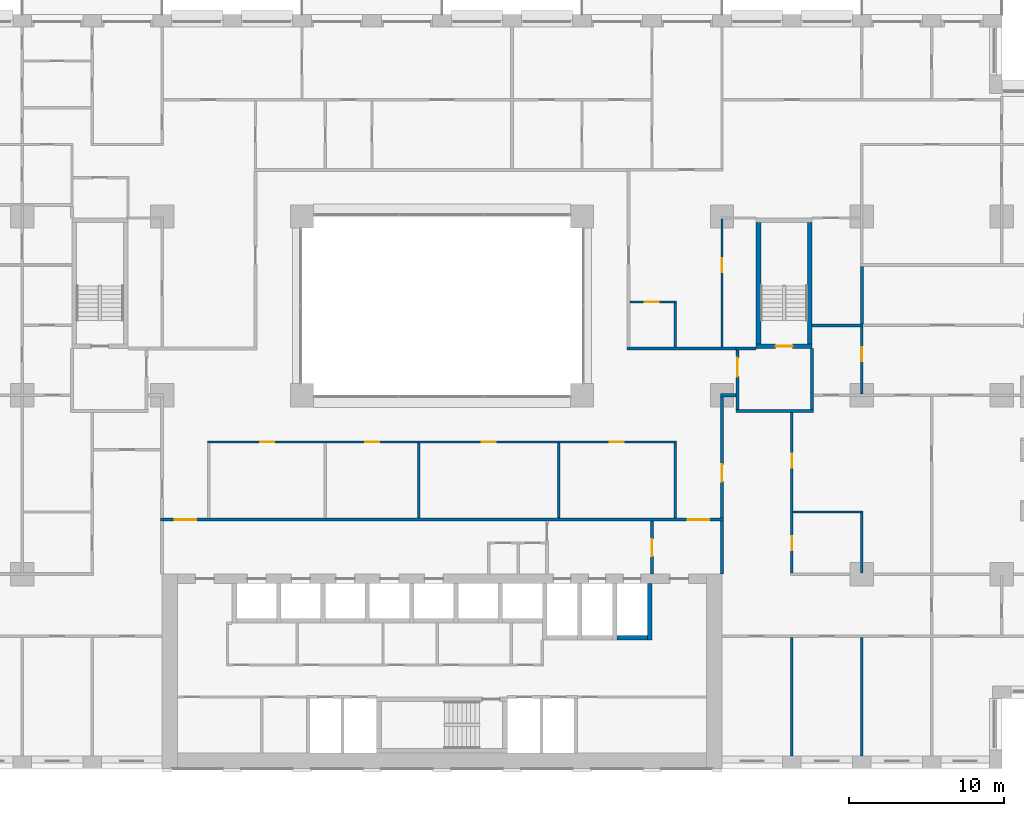
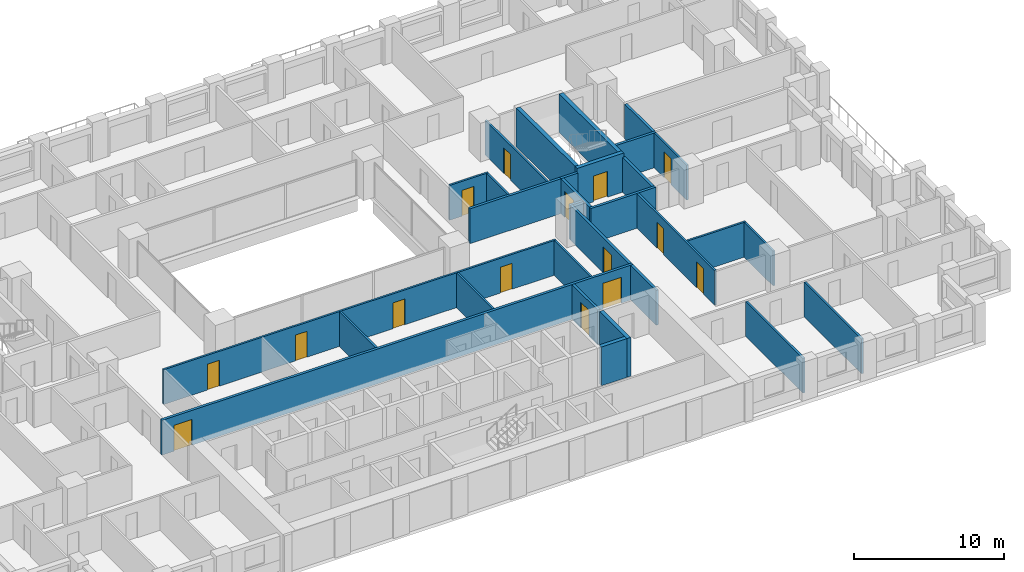
# One storey, part 12 of 19: 30 walls, 15 doors, 15 openings.
"""IFC4 building model written with IfcOpenShell, lengths in metres."""

import ifcopenshell
import ifcopenshell.guid

model = None  # the IFC model being written
_history = None  # IfcOwnerHistory: only IFC2X3 demands one
_inside = {}  # id of a spatial element -> (the spatial element, [elements in it])
_under = {}  # id of a project, library or spatial element -> (it, [spatial elements below it])
_declared = {}  # id of a project -> (the project, [libraries it declares])
_typed = {}  # id of a type object -> (the type object, [elements of that type])
_made_of = {}  # id of a material, layer set ... -> (it, [elements and type objects made of it])


def new_model(schema):
    """Start an empty IFC model of exactly this schema.

    Asked for "IFC4X3", IfcOpenShell would pick the latest addendum, in which some entities
    have other attributes; the version numbers below select the first issue.
    IFC2X3 requires an IfcOwnerHistory on every rooted entity: one is made here for all.
    """
    global model, _history
    if schema == "IFC4X3":
        model = ifcopenshell.file(schema_version=(4, 3, 0, 0))
    else:
        model = ifcopenshell.file(schema=schema)
    _inside.clear()
    _under.clear()
    _declared.clear()
    _typed.clear()
    _made_of.clear()
    _history = None
    if model.schema == "IFC2X3":
        org = make("IfcOrganization", Name="unknown")
        user = make(
            "IfcPersonAndOrganization",
            ThePerson=make("IfcPerson", FamilyName="unknown"),
            TheOrganization=org,
        )
        app = make(
            "IfcApplication",
            ApplicationDeveloper=org,
            Version="unknown",
            ApplicationFullName="unknown",
            ApplicationIdentifier="unknown",
        )
        _history = make(
            "IfcOwnerHistory",
            OwningUser=user,
            OwningApplication=app,
            ChangeAction="ADDED",
            CreationDate=0,
        )
    return model


def make(cls, **values):
    """One entity of the class cls with the attributes given. An attribute that is None is left unset."""
    return model.create_entity(
        cls, **{name: value for name, value in values.items() if value is not None}
    )


def rooted(cls, **values):
    """An entity with a GlobalId (a new one), such as an element, a storey or a relation."""
    return make(cls, GlobalId=ifcopenshell.guid.new(), OwnerHistory=_history, **values)


def si_unit(unit_type, name, prefix=None):
    """IfcSIUnit, for example si_unit("LENGTHUNIT", "METRE", prefix="MILLI")."""
    return make("IfcSIUnit", UnitType=unit_type, Prefix=prefix, Name=name)


def assignment(units):
    """IfcUnitAssignment: the units of a project."""
    return None if units is None else make("IfcUnitAssignment", Units=units)


def point(xyz):
    """IfcCartesianPoint."""
    return None if xyz is None else make("IfcCartesianPoint", Coordinates=xyz)


def direction(xyz):
    """IfcDirection."""
    return None if xyz is None else make("IfcDirection", DirectionRatios=xyz)


def frame(location, z_axis=None, x_axis=None):
    """IfcAxis2Placement3D, a coordinate frame: its origin and axes. An axis left out is left unset."""
    return make(
        "IfcAxis2Placement3D",
        Location=point(location),
        Axis=direction(z_axis),
        RefDirection=direction(x_axis),
    )


def frame_2d(location, x_axis=None):
    """IfcAxis2Placement2D, a coordinate frame in the plane: its origin and x axis."""
    return make(
        "IfcAxis2Placement2D", Location=point(location), RefDirection=direction(x_axis)
    )


def origin():
    """The frame at (0, 0, 0) with its axes left unset."""
    return frame((0.0, 0.0, 0.0))


def place(relative_to, where):
    """IfcLocalPlacement: puts the frame where relative to a parent placement (None: the world)."""
    return make(
        "IfcLocalPlacement", PlacementRelTo=relative_to, RelativePlacement=where
    )


def context(
    kind, dimensions, precision=None, world=None, true_north=None, identifier=None
):
    """IfcGeometricRepresentationContext, for example the 3D "Model" context."""
    return make(
        "IfcGeometricRepresentationContext",
        ContextIdentifier=identifier,
        ContextType=kind,
        CoordinateSpaceDimension=dimensions,
        Precision=precision,
        WorldCoordinateSystem=world,
        TrueNorth=true_north,
    )


def subcontext(parent, identifier, kind, view, scale=None):
    """IfcGeometricRepresentationSubContext, for example "Body" below "Model"."""
    return make(
        "IfcGeometricRepresentationSubContext",
        ContextIdentifier=identifier,
        ContextType=kind,
        ParentContext=parent,
        TargetScale=scale,
        TargetView=view,
    )


def project(units=None, contexts=None):
    """IfcProject with its units and contexts."""
    return rooted(
        "IfcProject",
        Name="project",
        RepresentationContexts=contexts,
        UnitsInContext=assignment(units),
    )


def spatial(cls, under=None, at=None, **own):
    """A site, building, storey or space (cls), placed at a placement, below another one or the project."""
    s = rooted(cls, ObjectPlacement=at, **own)
    if under is not None:
        _under.setdefault(under.id(), (under, []))[1].append(s)
    return s


def profile(cls, at=None, kind="AREA", **sizes):
    """A parametric profile (cls). Its sizes go by their IFC names, for example OverallWidth=200.0."""
    return make(cls, ProfileType=kind, Position=at, **sizes)


def rectangle(**sizes):
    """IfcRectangleProfileDef."""
    return profile("IfcRectangleProfileDef", **sizes)


def extrude(swept, where, along, depth):
    """IfcExtrudedAreaSolid: the profile swept, set in the frame where, extruded along a direction by depth."""
    return make(
        "IfcExtrudedAreaSolid",
        SweptArea=swept,
        Position=where,
        ExtrudedDirection=direction(along),
        Depth=depth,
    )


def shape(context_of_items, identifier, shape_type, items):
    """IfcShapeRepresentation: the items that make up one representation, for example the "Body"."""
    return make(
        "IfcShapeRepresentation",
        ContextOfItems=context_of_items,
        RepresentationIdentifier=identifier,
        RepresentationType=shape_type,
        Items=items,
    )


def material(Name=None, Category=None):
    """IfcMaterial."""
    return make("IfcMaterial", Name=Name, Category=Category)


def layer(
    of_material, thickness, ventilated=None, Name=None, Category=None, Priority=None
):
    """IfcMaterialLayer: one layer of a wall or slab, of a material (None: an air gap)."""
    return make(
        "IfcMaterialLayer",
        Material=of_material,
        LayerThickness=thickness,
        IsVentilated=ventilated,
        Name=Name,
        Category=Category,
        Priority=Priority,
    )


def layer_set(layers, Name=None):
    """IfcMaterialLayerSet."""
    return make("IfcMaterialLayerSet", MaterialLayers=layers, LayerSetName=Name)


def made_of(thing, what):
    """Note that an element or type object is made of a material, layer set ...; save() writes the relation."""
    if what is not None:
        _made_of.setdefault(what.id(), (what, []))[1].append(thing)
    return thing


def type_object(cls, material=None, **own):
    """A type object (cls), such as IfcWallType, which elements share."""
    return made_of(rooted(cls, **own), material)


def element(
    cls,
    number,
    at=None,
    inside=None,
    cuts=None,
    type_object=None,
    material=None,
    context=None,
    identifier="Body",
    shape_type=None,
    held_by="IfcProductDefinitionShape",
    body=None,
    shapes=None,
    **own,
):
    """One element of the class cls, such as IfcWall. Its Tag is "e" and its number.

    at: its placement. inside: the storey or other place that contains it. cuts: it is an
    opening in that element (IfcRelVoidsElement). A single representation is given by context,
    identifier, shape_type and body (its items); several are given by shapes. held_by: the class
    of the entity that holds the representations. save() writes the other relations.
    """
    e = rooted(cls, Tag="e%d" % number, ObjectPlacement=at, **own)
    if body is not None:
        shapes = [shape(context, identifier, shape_type, body)]
    if shapes is not None:
        e.Representation = make(held_by, Representations=shapes)
    if inside is not None:
        _inside.setdefault(inside.id(), (inside, []))[1].append(e)
    if cuts is not None:
        rooted(
            "IfcRelVoidsElement", RelatingBuildingElement=cuts, RelatedOpeningElement=e
        )
    if type_object is not None:
        _typed.setdefault(type_object.id(), (type_object, []))[1].append(e)
    return made_of(e, material)


def fill(opening, filler):
    """IfcRelFillsElement: the door or window that sits in an opening."""
    return rooted(
        "IfcRelFillsElement",
        RelatingOpeningElement=opening,
        RelatedBuildingElement=filler,
    )


def aggregate(whole, parts):
    """IfcRelAggregates: a whole, such as a stair, and the parts it consists of."""
    return rooted("IfcRelAggregates", RelatingObject=whole, RelatedObjects=parts)


def save(model, path):
    """Write the relations noted so far, then the file.

    IfcRelAggregates (storeys below a building ...), IfcRelContainedInSpatialStructure (elements
    in a storey), IfcRelDefinesByType, IfcRelAssociatesMaterial and IfcRelDeclares: one each for
    every whole, place, type object, material and project.
    """
    for whole, parts in _under.values():
        aggregate(whole, parts)
    for where, things in _inside.values():
        rooted(
            "IfcRelContainedInSpatialStructure",
            RelatedElements=things,
            RelatingStructure=where,
        )
    for kind, things in _typed.values():
        rooted("IfcRelDefinesByType", RelatedObjects=things, RelatingType=kind)
    for what, things in _made_of.values():
        rooted("IfcRelAssociatesMaterial", RelatedObjects=things, RelatingMaterial=what)
    for by, libraries in _declared.values():
        rooted("IfcRelDeclares", RelatingContext=by, RelatedDefinitions=libraries)
    model.write(path)


model = new_model("IFC4")

# Units and contexts
model_context = context("Model", 3, precision=1e-05, world=origin(), true_north=direction((0.0, 1.0)))
body_context = subcontext(model_context, "Body", "Model", "MODEL_VIEW")
ifc_project = project(units=[si_unit("LENGTHUNIT", "METRE"), si_unit("AREAUNIT", "SQUARE_METRE"), si_unit("VOLUMEUNIT", "CUBIC_METRE"), si_unit("PLANEANGLEUNIT", "RADIAN"), si_unit("MASSUNIT", "GRAM", prefix="KILO")], contexts=[model_context])

# Site, building, storey
site_placement = place(None, origin())
site = spatial("IfcSite", under=ifc_project, at=site_placement, CompositionType="ELEMENT")
building_placement = place(site_placement, origin())
building = spatial("IfcBuilding", under=site, at=building_placement, Name="Brigalow Station Residences", CompositionType="ELEMENT")
storey_placement = place(building_placement, frame((0.0, 0.0, 28.949951171875)))
storey = spatial("IfcBuildingStorey", under=building, at=storey_placement, Name="L07", CompositionType="ELEMENT", Elevation=28.949951171875)

# Walls
ifc_material_1 = material(Name="Concrete C80", Category="concrete")
ifc_layer_1 = layer(ifc_material_1, 0.300048828125)
ifc_layer_set_1 = layer_set([ifc_layer_1], Name="CORE SHEAR WALL 300 C80")
wall_type_1 = type_object("IfcWallType", Name="CORE SHEAR WALL 300 C80", PredefinedType="SHEAR", material=ifc_layer_set_1)
wall_1_placement = place(storey_placement, frame((47.25, 8.39990234375, 0.0), z_axis=(0.0, 0.0, 1.0), x_axis=(1.0, 0.0, 0.0)))
element("IfcWall", 1, at=wall_1_placement, inside=storey, type_object=wall_type_1, Name="CORE WALL SH-SL1-S L07", PredefinedType="SHEAR", context=body_context, shape_type="SweptSolid", body=[
    extrude(rectangle(XDim=1.949951171875, YDim=0.300048828125, at=frame_2d((0.97509765625, 0.0))), origin(), (0.0, 0.0, 1.0), 3.150146484375),
])
wall_2_placement = place(storey_placement, frame((49.35009765625, 8.25, 0.0), z_axis=(0.0, 0.0, 1.0), x_axis=(0.0, 1.0, 0.0)))
element("IfcWall", 2, at=wall_2_placement, inside=storey, type_object=wall_type_1, Name="CORE WALL SH-SL1-E L07", PredefinedType="SHEAR", context=body_context, shape_type="SweptSolid", body=[
    extrude(rectangle(XDim=3.64990234375, YDim=0.300048828125, at=frame_2d((1.824951171875, 0.0))), origin(), (0.0, 0.0, 1.0), 3.150146484375),
])

# Wall, opening, door
wall_3_placement = place(storey_placement, frame((56.199951171875, 27.14990234375, 0.0), z_axis=(0.0, 0.0, 1.0), x_axis=(1.0, 0.0, 0.0)))
wall_3 = element("IfcWall", 3, at=wall_3_placement, inside=storey, type_object=wall_type_1, Name="CORE WALL ST-S3-S L07", PredefinedType="SHEAR", context=body_context, shape_type="SweptSolid", body=[
    extrude(rectangle(XDim=3.60009765625, YDim=0.300048828125, at=frame_2d((1.800048828125, 0.0))), origin(), (0.0, 0.0, 1.0), 3.150146484375),
])
opening_1_placement = place(wall_3_placement, frame((1.25, 0.0, 0.0)))
opening_1 = element("IfcOpeningElement", 4, at=opening_1_placement, cuts=wall_3, Name="Opening D-5018", PredefinedType="OPENING", context=body_context, shape_type="SweptSolid", body=[
    extrude(rectangle(XDim=1.10009765625, YDim=2.10009765625, at=frame_2d((0.550048828125, 1.050048828125))), frame((0.0, 0.16015625, 0.0), z_axis=(0.0, -1.0, 0.0), x_axis=(1.0, 0.0, 0.0)), (0.0, 0.0, 1.0), 0.320068359375),
])
ifc_material_2 = material(Name="Steel fire door leaf in steel frame", Category="steel")
door_type_1 = type_object("IfcDoorType", Name="STAIR DOOR 1100 x 2100 FD60S", OperationType="SINGLE_SWING_LEFT", PredefinedType="DOOR", material=ifc_material_2)
door_1_placement = place(opening_1_placement, origin())
door_1 = element("IfcDoor", 5, at=door_1_placement, inside=storey, type_object=door_type_1, Name="D-5018", OperationType="SINGLE_SWING_LEFT", OverallHeight=2.10009765625, OverallWidth=1.10009765625, PredefinedType="DOOR", context=body_context, shape_type="SweptSolid", body=[
    extrude(rectangle(XDim=1.10009765625, YDim=2.10009765625, at=frame_2d((0.550048828125, 1.050048828125))), frame((0.0, 0.02490234375, 0.0), z_axis=(0.0, -1.0, 0.0), x_axis=(1.0, 0.0, 0.0)), (0.0, 0.0, 1.0), 0.050048828125),
])
fill(opening_1, door_1)

# Walls
for number, where, z_axis, x_axis, name in (
    (6, (56.35009765625, 27.300048828125, 0.0), (0.0, 0.0, 1.0), (0.0, 1.0, 0.0), "CORE WALL ST-S3-W L07"),
    (7, (59.64990234375, 27.300048828125, 0.0), (0.0, 0.0, 1.0), (0.0, 1.0, 0.0), "CORE WALL ST-S3-E L07"),
):
    element("IfcWall", number, at=place(storey_placement, frame(where, z_axis=z_axis, x_axis=x_axis)), inside=storey, type_object=wall_type_1, Name=name, PredefinedType="SHEAR", context=body_context, shape_type="SweptSolid", body=[
        extrude(rectangle(XDim=7.800048828125, YDim=0.300048828125, at=frame_2d((3.89990234375, 0.0))), origin(), (0.0, 0.0, 1.0), 3.150146484375),
    ])
ifc_material_3 = material(Name="Concrete blockwork", Category="masonry")
ifc_layer_2 = layer(ifc_material_3, 0.199951171875)
ifc_layer_set_2 = layer_set([ifc_layer_2], Name="FIRE RATED CORE PARTITION 200")
wall_type_2 = type_object("IfcWallType", Name="FIRE RATED CORE PARTITION 200", PredefinedType="PARTITIONING", material=ifc_layer_set_2)
wall_4_placement = place(storey_placement, frame((54.89990234375, 23.0, 0.0), z_axis=(0.0, 0.0, 1.0), x_axis=(1.0, 0.0, 0.0)))
element("IfcWall", 8, at=wall_4_placement, inside=storey, type_object=wall_type_2, Name="PW-5024", PredefinedType="PARTITIONING", context=body_context, shape_type="SweptSolid", body=[
    extrude(rectangle(XDim=5.0, YDim=0.199951171875, at=frame_2d((2.5, 0.0))), origin(), (0.0, 0.0, 1.0), 2.830078125),
])
wall_5_placement = place(storey_placement, frame((54.89990234375, 27.0, 0.0), z_axis=(0.0, 0.0, 1.0), x_axis=(1.0, 0.0, 0.0)))
element("IfcWall", 9, at=wall_5_placement, inside=storey, type_object=wall_type_2, Name="PW-5026", PredefinedType="PARTITIONING", context=body_context, shape_type="SweptSolid", body=[
    extrude(rectangle(XDim=1.300048828125, YDim=0.199951171875, at=frame_2d((0.64990234375, 0.0))), origin(), (0.0, 0.0, 1.0), 2.830078125),
])

# Wall, opening, door
wall_6_placement = place(storey_placement, frame((49.5, 12.5, 0.0), z_axis=(0.0, 0.0, 1.0), x_axis=(0.0, 1.0, 0.0)))
wall_6 = element("IfcWall", 10, at=wall_6_placement, inside=storey, type_object=wall_type_2, Name="PW-5015", PredefinedType="PARTITIONING", context=body_context, shape_type="SweptSolid", body=[
    extrude(rectangle(XDim=3.39990234375, YDim=0.199951171875, at=frame_2d((1.699951171875, 0.0))), origin(), (0.0, 0.0, 1.0), 2.830078125),
])
opening_2_placement = place(wall_6_placement, frame((1.14990234375, 0.0, 0.0)))
opening_2 = element("IfcOpeningElement", 11, at=opening_2_placement, cuts=wall_6, Name="Opening D-5014", PredefinedType="OPENING", context=body_context, shape_type="SweptSolid", body=[
    extrude(rectangle(XDim=1.10009765625, YDim=2.10009765625, at=frame_2d((0.550048828125, 1.050048828125))), frame((0.0, 0.10986328125, 0.0), z_axis=(0.0, -1.0, 0.0), x_axis=(1.0, 0.0, 0.0)), (0.0, 0.0, 1.0), 0.219970703125),
])
ifc_material_4 = material(Name="Steel fire door leaf in steel frame", Category="steel")
door_type_2 = type_object("IfcDoorType", Name="LOBBY DOOR 1100 x 2100 FD60S", OperationType="SINGLE_SWING_LEFT", PredefinedType="DOOR", material=ifc_material_4)
door_2_placement = place(opening_2_placement, origin())
door_2 = element("IfcDoor", 12, at=door_2_placement, inside=storey, type_object=door_type_2, Name="D-5014", OperationType="SINGLE_SWING_RIGHT", OverallHeight=2.10009765625, OverallWidth=1.10009765625, PredefinedType="DOOR", context=body_context, shape_type="SweptSolid", body=[
    extrude(rectangle(XDim=1.10009765625, YDim=2.10009765625, at=frame_2d((0.550048828125, 1.050048828125))), frame((0.0, 0.02490234375, 0.0), z_axis=(0.0, -1.0, 0.0), x_axis=(1.0, 0.0, 0.0)), (0.0, 0.0, 1.0), 0.050048828125),
])
fill(opening_2, door_2)

# Wall
wall_7_placement = place(storey_placement, frame((54.0, 12.5, 0.0), z_axis=(0.0, 0.0, 1.0), x_axis=(0.0, 1.0, 0.0)))
element("IfcWall", 13, at=wall_7_placement, inside=storey, type_object=wall_type_2, Name="PW-5016", PredefinedType="PARTITIONING", context=body_context, shape_type="SweptSolid", body=[
    extrude(rectangle(XDim=3.39990234375, YDim=0.199951171875, at=frame_2d((1.699951171875, 0.0))), origin(), (0.0, 0.0, 1.0), 2.830078125),
])

# Wall, opening, door
wall_8_placement = place(storey_placement, frame((55.0, 23.10009765625, 0.0), z_axis=(0.0, 0.0, 1.0), x_axis=(0.0, 1.0, 0.0)))
wall_8 = element("IfcWall", 14, at=wall_8_placement, inside=storey, type_object=wall_type_2, Name="PW-5036", PredefinedType="PARTITIONING", context=body_context, shape_type="SweptSolid", body=[
    extrude(rectangle(XDim=3.7998046875, YDim=0.199951171875, at=frame_2d((1.89990234375, 0.0))), origin(), (0.0, 0.0, 1.0), 2.830078125),
])
opening_3_placement = place(wall_8_placement, frame((2.10009765625, 0.0, 0.0)))
opening_3 = element("IfcOpeningElement", 15, at=opening_3_placement, cuts=wall_8, Name="Opening D-5019", PredefinedType="OPENING", context=body_context, shape_type="SweptSolid", body=[
    extrude(rectangle(XDim=1.199951171875, YDim=2.10009765625, at=frame_2d((0.60009765625, 1.050048828125))), frame((0.0, 0.10986328125, 0.0), z_axis=(0.0, -1.0, 0.0), x_axis=(1.0, 0.0, 0.0)), (0.0, 0.0, 1.0), 0.219970703125),
])
ifc_material_5 = material(Name="Steel fire door leaf in steel frame", Category="steel")
door_type_3 = type_object("IfcDoorType", Name="STAIR LOBBY DOOR 1200 x 2100 FD60S", OperationType="SINGLE_SWING_LEFT", PredefinedType="DOOR", material=ifc_material_5)
door_3_placement = place(opening_3_placement, frame((1.199951171875, 0.0, 0.0), z_axis=(0.0, 0.0, 1.0), x_axis=(-1.0, 0.0, 0.0)))
door_3 = element("IfcDoor", 16, at=door_3_placement, inside=storey, type_object=door_type_3, Name="D-5019", OperationType="SINGLE_SWING_LEFT", OverallHeight=2.10009765625, OverallWidth=1.199951171875, PredefinedType="DOOR", context=body_context, shape_type="SweptSolid", body=[
    extrude(rectangle(XDim=1.199951171875, YDim=2.10009765625, at=frame_2d((0.60009765625, 1.050048828125))), frame((0.0, 0.02490234375, 0.0), z_axis=(0.0, -1.0, 0.0), x_axis=(1.0, 0.0, 0.0)), (0.0, 0.0, 1.0), 0.050048828125),
])
fill(opening_3, door_3)

# Wall
wall_9_placement = place(storey_placement, frame((59.800048828125, 23.10009765625, 0.0), z_axis=(0.0, 0.0, 1.0), x_axis=(0.0, 1.0, 0.0)))
element("IfcWall", 17, at=wall_9_placement, inside=storey, type_object=wall_type_2, Name="PW-5037", PredefinedType="PARTITIONING", context=body_context, shape_type="SweptSolid", body=[
    extrude(rectangle(XDim=3.89990234375, YDim=0.199951171875, at=frame_2d((1.949951171875, 0.0))), origin(), (0.0, 0.0, 1.0), 2.830078125),
])

# Wall, openings, doors
ifc_material_6 = material(Name="Plasterboard on steel stud partition", Category="steel")
ifc_layer_3 = layer(ifc_material_6, 0.14990234375)
ifc_layer_set_3 = layer_set([ifc_layer_3], Name="FLAT PARTITION 150")
wall_type_3 = type_object("IfcWallType", Name="FLAT PARTITION 150", PredefinedType="PARTITIONING", material=ifc_layer_set_3)
wall_10_placement = place(storey_placement, frame((20.925048828125, 21.0, 0.0), z_axis=(0.0, 0.0, 1.0), x_axis=(1.0, 0.0, 0.0)))
wall_10 = element("IfcWall", 18, at=wall_10_placement, inside=storey, type_object=wall_type_3, Name="PW-1B01", PredefinedType="PARTITIONING", context=body_context, shape_type="SweptSolid", body=[
    extrude(rectangle(XDim=30.14990234375, YDim=0.14990234375, at=frame_2d((15.074951171875, 0.0))), origin(), (0.0, 0.0, 1.0), 2.830078125),
])
opening_4_placement = place(wall_10_placement, frame((3.375, 0.0, 0.0)))
opening_4 = element("IfcOpeningElement", 19, at=opening_4_placement, cuts=wall_10, Name="Opening D-1B70", PredefinedType="OPENING", context=body_context, shape_type="SweptSolid", body=[
    extrude(rectangle(XDim=0.89990234375, YDim=2.10009765625, at=frame_2d((0.449951171875, 1.050048828125))), frame((0.0, 0.0849609375, 0.0), z_axis=(0.0, -1.0, 0.0), x_axis=(1.0, 0.0, 0.0)), (0.0, 0.0, 1.0), 0.169921875),
])
opening_5_placement = place(wall_10_placement, frame((10.125, 0.0, 0.0)))
opening_5 = element("IfcOpeningElement", 20, at=opening_5_placement, cuts=wall_10, Name="Opening D-1B71", PredefinedType="OPENING", context=body_context, shape_type="SweptSolid", body=[
    extrude(rectangle(XDim=0.89990234375, YDim=2.10009765625, at=frame_2d((0.449951171875, 1.050048828125))), frame((0.0, 0.0849609375, 0.0), z_axis=(0.0, -1.0, 0.0), x_axis=(1.0, 0.0, 0.0)), (0.0, 0.0, 1.0), 0.169921875),
])
opening_6_placement = place(wall_10_placement, frame((17.625, 0.0, 0.0)))
opening_6 = element("IfcOpeningElement", 21, at=opening_6_placement, cuts=wall_10, Name="Opening D-1B72", PredefinedType="OPENING", context=body_context, shape_type="SweptSolid", body=[
    extrude(rectangle(XDim=0.89990234375, YDim=2.10009765625, at=frame_2d((0.449951171875, 1.050048828125))), frame((0.0, 0.0849609375, 0.0), z_axis=(0.0, -1.0, 0.0), x_axis=(1.0, 0.0, 0.0)), (0.0, 0.0, 1.0), 0.169921875),
])
opening_7_placement = place(wall_10_placement, frame((25.875, 0.0, 0.0)))
opening_7 = element("IfcOpeningElement", 22, at=opening_7_placement, cuts=wall_10, Name="Opening D-1B73", PredefinedType="OPENING", context=body_context, shape_type="SweptSolid", body=[
    extrude(rectangle(XDim=0.89990234375, YDim=2.10009765625, at=frame_2d((0.449951171875, 1.050048828125))), frame((0.0, 0.0849609375, 0.0), z_axis=(0.0, -1.0, 0.0), x_axis=(1.0, 0.0, 0.0)), (0.0, 0.0, 1.0), 0.169921875),
])
ifc_material_7 = material(Name="Solid-core timber door leaf", Category="wood")
door_type_4 = type_object("IfcDoorType", Name="INTERNAL DOOR 900 x 2100", OperationType="SINGLE_SWING_LEFT", PredefinedType="DOOR", material=ifc_material_7)
door_4_placement = place(opening_4_placement, frame((0.89990234375, 0.0, 0.0), z_axis=(0.0, 0.0, 1.0), x_axis=(-1.0, 0.0, 0.0)))
door_4 = element("IfcDoor", 23, at=door_4_placement, inside=storey, type_object=door_type_4, Name="D-1B70", OperationType="SINGLE_SWING_LEFT", OverallHeight=2.10009765625, OverallWidth=0.89990234375, PredefinedType="DOOR", context=body_context, shape_type="SweptSolid", body=[
    extrude(rectangle(XDim=0.89990234375, YDim=2.10009765625, at=frame_2d((0.449951171875, 1.050048828125))), frame((0.0, 0.02490234375, 0.0), z_axis=(0.0, -1.0, 0.0), x_axis=(1.0, 0.0, 0.0)), (0.0, 0.0, 1.0), 0.050048828125),
])
fill(opening_4, door_4)
door_5_placement = place(opening_5_placement, frame((0.89990234375, 0.0, 0.0), z_axis=(0.0, 0.0, 1.0), x_axis=(-1.0, 0.0, 0.0)))
door_5 = element("IfcDoor", 24, at=door_5_placement, inside=storey, type_object=door_type_4, Name="D-1B71", OperationType="SINGLE_SWING_LEFT", OverallHeight=2.10009765625, OverallWidth=0.89990234375, PredefinedType="DOOR", context=body_context, shape_type="SweptSolid", body=[
    extrude(rectangle(XDim=0.89990234375, YDim=2.10009765625, at=frame_2d((0.449951171875, 1.050048828125))), frame((0.0, 0.02490234375, 0.0), z_axis=(0.0, -1.0, 0.0), x_axis=(1.0, 0.0, 0.0)), (0.0, 0.0, 1.0), 0.050048828125),
])
fill(opening_5, door_5)
door_6_placement = place(opening_6_placement, frame((0.89990234375, 0.0, 0.0), z_axis=(0.0, 0.0, 1.0), x_axis=(-1.0, 0.0, 0.0)))
door_6 = element("IfcDoor", 25, at=door_6_placement, inside=storey, type_object=door_type_4, Name="D-1B72", OperationType="SINGLE_SWING_LEFT", OverallHeight=2.10009765625, OverallWidth=0.89990234375, PredefinedType="DOOR", context=body_context, shape_type="SweptSolid", body=[
    extrude(rectangle(XDim=0.89990234375, YDim=2.10009765625, at=frame_2d((0.449951171875, 1.050048828125))), frame((0.0, 0.02490234375, 0.0), z_axis=(0.0, -1.0, 0.0), x_axis=(1.0, 0.0, 0.0)), (0.0, 0.0, 1.0), 0.050048828125),
])
fill(opening_6, door_6)
door_7_placement = place(opening_7_placement, frame((0.89990234375, 0.0, 0.0), z_axis=(0.0, 0.0, 1.0), x_axis=(-1.0, 0.0, 0.0)))
door_7 = element("IfcDoor", 26, at=door_7_placement, inside=storey, type_object=door_type_4, Name="D-1B73", OperationType="SINGLE_SWING_RIGHT", OverallHeight=2.10009765625, OverallWidth=0.89990234375, PredefinedType="DOOR", context=body_context, shape_type="SweptSolid", body=[
    extrude(rectangle(XDim=0.89990234375, YDim=2.10009765625, at=frame_2d((0.449951171875, 1.050048828125))), frame((0.0, 0.02490234375, 0.0), z_axis=(0.0, -1.0, 0.0), x_axis=(1.0, 0.0, 0.0)), (0.0, 0.0, 1.0), 0.050048828125),
])
fill(opening_7, door_7)

# Wall
wall_11_placement = place(storey_placement, frame((58.574951171875, 16.5, 0.0), z_axis=(0.0, 0.0, 1.0), x_axis=(1.0, 0.0, 0.0)))
element("IfcWall", 27, at=wall_11_placement, inside=storey, type_object=wall_type_3, Name="PW-1B16", PredefinedType="PARTITIONING", context=body_context, shape_type="SweptSolid", body=[
    extrude(rectangle(XDim=4.5, YDim=0.14990234375, at=frame_2d((2.25, 0.0))), origin(), (0.0, 0.0, 1.0), 2.830078125),
])

# Wall, opening, door
wall_12_placement = place(storey_placement, frame((48.10009765625, 30.0, 0.0), z_axis=(0.0, 0.0, 1.0), x_axis=(1.0, 0.0, 0.0)))
wall_12 = element("IfcWall", 28, at=wall_12_placement, inside=storey, type_object=wall_type_3, Name="PW-1B35", PredefinedType="PARTITIONING", context=body_context, shape_type="SweptSolid", body=[
    extrude(rectangle(XDim=2.974853515625, YDim=0.14990234375, at=frame_2d((1.4873046875, 0.0))), origin(), (0.0, 0.0, 1.0), 2.830078125),
])
opening_8_placement = place(wall_12_placement, frame((0.949951171875, 0.0, 0.0)))
opening_8 = element("IfcOpeningElement", 29, at=opening_8_placement, cuts=wall_12, Name="Opening D-1B47", PredefinedType="OPENING", context=body_context, shape_type="SweptSolid", body=[
    extrude(rectangle(XDim=0.89990234375, YDim=2.10009765625, at=frame_2d((0.449951171875, 1.050048828125))), frame((0.0, 0.0849609375, 0.0), z_axis=(0.0, -1.0, 0.0), x_axis=(1.0, 0.0, 0.0)), (0.0, 0.0, 1.0), 0.169921875),
])
door_8_placement = place(opening_8_placement, frame((0.89990234375, 0.0, 0.0), z_axis=(0.0, 0.0, 1.0), x_axis=(-1.0, 0.0, 0.0)))
door_8 = element("IfcDoor", 30, at=door_8_placement, inside=storey, type_object=door_type_4, Name="D-1B47", OperationType="SINGLE_SWING_RIGHT", OverallHeight=2.10009765625, OverallWidth=0.89990234375, PredefinedType="DOOR", context=body_context, shape_type="SweptSolid", body=[
    extrude(rectangle(XDim=0.89990234375, YDim=2.10009765625, at=frame_2d((0.449951171875, 1.050048828125))), frame((0.0, 0.02490234375, 0.0), z_axis=(0.0, -1.0, 0.0), x_axis=(1.0, 0.0, 0.0)), (0.0, 0.0, 1.0), 0.050048828125),
])
fill(opening_8, door_8)

wall_13_placement = place(storey_placement, frame((54.0, 27.10009765625, 0.0), z_axis=(0.0, 0.0, 1.0), x_axis=(0.0, 1.0, 0.0)))
wall_13 = element("IfcWall", 31, at=wall_13_placement, inside=storey, type_object=wall_type_3, Name="PW-1B40", PredefinedType="PARTITIONING", context=body_context, shape_type="SweptSolid", body=[
    extrude(rectangle(XDim=8.224853515625, YDim=0.14990234375, at=frame_2d((4.1123046875, 0.0))), origin(), (0.0, 0.0, 1.0), 2.830078125),
])
opening_9_placement = place(wall_13_placement, frame((4.824951171875, 0.0, 0.0)))
opening_9 = element("IfcOpeningElement", 32, at=opening_9_placement, cuts=wall_13, Name="Opening D-1B49", PredefinedType="OPENING", context=body_context, shape_type="SweptSolid", body=[
    extrude(rectangle(XDim=0.89990234375, YDim=2.10009765625, at=frame_2d((0.449951171875, 1.050048828125))), frame((0.0, 0.0849609375, 0.0), z_axis=(0.0, -1.0, 0.0), x_axis=(1.0, 0.0, 0.0)), (0.0, 0.0, 1.0), 0.169921875),
])
door_9_placement = place(opening_9_placement, frame((0.89990234375, 0.0, 0.0), z_axis=(0.0, 0.0, 1.0), x_axis=(-1.0, 0.0, 0.0)))
door_9 = element("IfcDoor", 33, at=door_9_placement, inside=storey, type_object=door_type_4, Name="D-1B49", OperationType="SINGLE_SWING_LEFT", OverallHeight=2.10009765625, OverallWidth=0.89990234375, PredefinedType="DOOR", context=body_context, shape_type="SweptSolid", body=[
    extrude(rectangle(XDim=0.89990234375, YDim=2.10009765625, at=frame_2d((0.449951171875, 1.050048828125))), frame((0.0, 0.02490234375, 0.0), z_axis=(0.0, -1.0, 0.0), x_axis=(1.0, 0.0, 0.0)), (0.0, 0.0, 1.0), 0.050048828125),
])
fill(opening_9, door_9)

# Walls
wall_14_placement = place(storey_placement, frame((51.0, 16.10009765625, 0.0), z_axis=(0.0, 0.0, 1.0), x_axis=(0.0, 1.0, 0.0)))
element("IfcWall", 34, at=wall_14_placement, inside=storey, type_object=wall_type_3, Name="PW-1B44", PredefinedType="PARTITIONING", context=body_context, shape_type="SweptSolid", body=[
    extrude(rectangle(XDim=4.824951171875, YDim=0.14990234375, at=frame_2d((2.41259765625, 0.0))), origin(), (0.0, 0.0, 1.0), 2.830078125),
])
wall_15_placement = place(storey_placement, frame((51.0, 27.10009765625, 0.0), z_axis=(0.0, 0.0, 1.0), x_axis=(0.0, 1.0, 0.0)))
element("IfcWall", 35, at=wall_15_placement, inside=storey, type_object=wall_type_3, Name="PW-1B45", PredefinedType="PARTITIONING", context=body_context, shape_type="SweptSolid", body=[
    extrude(rectangle(XDim=2.824951171875, YDim=0.14990234375, at=frame_2d((1.41259765625, 0.0))), origin(), (0.0, 0.0, 1.0), 2.830078125),
])
wall_16_placement = place(storey_placement, frame((63.0, 0.800048828125, 0.0), z_axis=(0.0, 0.0, 1.0), x_axis=(0.0, 1.0, 0.0)))
element("IfcWall", 36, at=wall_16_placement, inside=storey, type_object=wall_type_3, Name="PW-1B68", PredefinedType="PARTITIONING", context=body_context, shape_type="SweptSolid", body=[
    extrude(rectangle(XDim=7.625, YDim=0.14990234375, at=frame_2d((3.8125, 0.0))), origin(), (0.0, 0.0, 1.0), 2.830078125),
])
wall_17_placement = place(storey_placement, frame((63.0, 12.574951171875, 0.0), z_axis=(0.0, 0.0, 1.0), x_axis=(0.0, 1.0, 0.0)))
element("IfcWall", 37, at=wall_17_placement, inside=storey, type_object=wall_type_3, Name="PW-1B69", PredefinedType="PARTITIONING", context=body_context, shape_type="SweptSolid", body=[
    extrude(rectangle(XDim=3.85009765625, YDim=0.14990234375, at=frame_2d((1.925048828125, 0.0))), origin(), (0.0, 0.0, 1.0), 2.830078125),
])

# Wall, opening, door
wall_18_placement = place(storey_placement, frame((63.0, 24.074951171875, 0.0), z_axis=(0.0, 0.0, 1.0), x_axis=(0.0, 1.0, 0.0)))
wall_18 = element("IfcWall", 38, at=wall_18_placement, inside=storey, type_object=wall_type_3, Name="PW-1B70", PredefinedType="PARTITIONING", context=body_context, shape_type="SweptSolid", body=[
    extrude(rectangle(XDim=4.35009765625, YDim=0.14990234375, at=frame_2d((2.175048828125, 0.0))), origin(), (0.0, 0.0, 1.0), 2.830078125),
])
opening_10_placement = place(wall_18_placement, frame((2.10009765625, 0.0, 0.0)))
opening_10 = element("IfcOpeningElement", 39, at=opening_10_placement, cuts=wall_18, Name="Opening D-1B61", PredefinedType="OPENING", context=body_context, shape_type="SweptSolid", body=[
    extrude(rectangle(XDim=0.89990234375, YDim=2.10009765625, at=frame_2d((0.449951171875, 1.050048828125))), frame((0.0, 0.0849609375, 0.0), z_axis=(0.0, -1.0, 0.0), x_axis=(1.0, 0.0, 0.0)), (0.0, 0.0, 1.0), 0.169921875),
])
door_10_placement = place(opening_10_placement, origin())
door_10 = element("IfcDoor", 40, at=door_10_placement, inside=storey, type_object=door_type_4, Name="D-1B61", OperationType="SINGLE_SWING_RIGHT", OverallHeight=2.10009765625, OverallWidth=0.89990234375, PredefinedType="DOOR", context=body_context, shape_type="SweptSolid", body=[
    extrude(rectangle(XDim=0.89990234375, YDim=2.10009765625, at=frame_2d((0.449951171875, 1.050048828125))), frame((0.0, 0.02490234375, 0.0), z_axis=(0.0, -1.0, 0.0), x_axis=(1.0, 0.0, 0.0)), (0.0, 0.0, 1.0), 0.050048828125),
])
fill(opening_10, door_10)

# Wall
wall_19_placement = place(storey_placement, frame((58.5, 0.800048828125, 0.0), z_axis=(0.0, 0.0, 1.0), x_axis=(0.0, 1.0, 0.0)))
element("IfcWall", 41, at=wall_19_placement, inside=storey, type_object=wall_type_3, Name="PW-1B83", PredefinedType="PARTITIONING", context=body_context, shape_type="SweptSolid", body=[
    extrude(rectangle(XDim=7.625, YDim=0.14990234375, at=frame_2d((3.8125, 0.0))), origin(), (0.0, 0.0, 1.0), 2.830078125),
])

# Wall, openings, doors
wall_20_placement = place(storey_placement, frame((58.5, 12.574951171875, 0.0), z_axis=(0.0, 0.0, 1.0), x_axis=(0.0, 1.0, 0.0)))
wall_20 = element("IfcWall", 42, at=wall_20_placement, inside=storey, type_object=wall_type_3, Name="PW-1B84", PredefinedType="PARTITIONING", context=body_context, shape_type="SweptSolid", body=[
    extrude(rectangle(XDim=10.324951171875, YDim=0.14990234375, at=frame_2d((5.16259765625, 0.0))), origin(), (0.0, 0.0, 1.0), 2.830078125),
])
opening_11_placement = place(wall_20_placement, frame((1.47509765625, 0.0, 0.0)))
opening_11 = element("IfcOpeningElement", 43, at=opening_11_placement, cuts=wall_20, Name="Opening D-1B54", PredefinedType="OPENING", context=body_context, shape_type="SweptSolid", body=[
    extrude(rectangle(XDim=0.89990234375, YDim=2.10009765625, at=frame_2d((0.449951171875, 1.050048828125))), frame((0.0, 0.0849609375, 0.0), z_axis=(0.0, -1.0, 0.0), x_axis=(1.0, 0.0, 0.0)), (0.0, 0.0, 1.0), 0.169921875),
])
opening_12_placement = place(wall_20_placement, frame((6.75, 0.0, 0.0)))
opening_12 = element("IfcOpeningElement", 44, at=opening_12_placement, cuts=wall_20, Name="Opening D-1B64", PredefinedType="OPENING", context=body_context, shape_type="SweptSolid", body=[
    extrude(rectangle(XDim=0.89990234375, YDim=2.10009765625, at=frame_2d((0.449951171875, 1.050048828125))), frame((0.0, 0.0849609375, 0.0), z_axis=(0.0, -1.0, 0.0), x_axis=(1.0, 0.0, 0.0)), (0.0, 0.0, 1.0), 0.169921875),
])
door_11_placement = place(opening_11_placement, frame((0.89990234375, 0.0, 0.0), z_axis=(0.0, 0.0, 1.0), x_axis=(-1.0, 0.0, 0.0)))
door_11 = element("IfcDoor", 45, at=door_11_placement, inside=storey, type_object=door_type_4, Name="D-1B54", OperationType="SINGLE_SWING_RIGHT", OverallHeight=2.10009765625, OverallWidth=0.89990234375, PredefinedType="DOOR", context=body_context, shape_type="SweptSolid", body=[
    extrude(rectangle(XDim=0.89990234375, YDim=2.10009765625, at=frame_2d((0.449951171875, 1.050048828125))), frame((0.0, 0.02490234375, 0.0), z_axis=(0.0, -1.0, 0.0), x_axis=(1.0, 0.0, 0.0)), (0.0, 0.0, 1.0), 0.050048828125),
])
fill(opening_11, door_11)
door_12_placement = place(opening_12_placement, frame((0.89990234375, 0.0, 0.0), z_axis=(0.0, 0.0, 1.0), x_axis=(-1.0, 0.0, 0.0)))
door_12 = element("IfcDoor", 46, at=door_12_placement, inside=storey, type_object=door_type_4, Name="D-1B64", OperationType="SINGLE_SWING_LEFT", OverallHeight=2.10009765625, OverallWidth=0.89990234375, PredefinedType="DOOR", context=body_context, shape_type="SweptSolid", body=[
    extrude(rectangle(XDim=0.89990234375, YDim=2.10009765625, at=frame_2d((0.449951171875, 1.050048828125))), frame((0.0, 0.02490234375, 0.0), z_axis=(0.0, -1.0, 0.0), x_axis=(1.0, 0.0, 0.0)), (0.0, 0.0, 1.0), 0.050048828125),
])
fill(opening_12, door_12)

# Walls
for number, where, z_axis, x_axis, name in (
    (47, (34.5, 16.10009765625, 0.0), (0.0, 0.0, 1.0), (0.0, 1.0, 0.0), "PW-1B85"),
    (48, (43.5, 16.10009765625, 0.0), (0.0, 0.0, 1.0), (0.0, 1.0, 0.0), "PW-1B86"),
):
    element("IfcWall", number, at=place(storey_placement, frame(where, z_axis=z_axis, x_axis=x_axis)), inside=storey, type_object=wall_type_3, Name=name, PredefinedType="PARTITIONING", context=body_context, shape_type="SweptSolid", body=[
        extrude(rectangle(XDim=4.824951171875, YDim=0.14990234375, at=frame_2d((2.41259765625, 0.0))), origin(), (0.0, 0.0, 1.0), 2.830078125),
    ])
ifc_material_8 = material(Name="Plasterboard on steel stud partition", Category="steel")
ifc_layer_4 = layer(ifc_material_8, 0.199951171875)
ifc_layer_set_4 = layer_set([ifc_layer_4], Name="PARTY AND CORRIDOR WALL 200")
wall_type_4 = type_object("IfcWallType", Name="PARTY AND CORRIDOR WALL 200", PredefinedType="PARTITIONING", material=ifc_layer_set_4)
wall_21_placement = place(storey_placement, frame((53.89990234375, 24.0, 0.0), z_axis=(0.0, 0.0, 1.0), x_axis=(1.0, 0.0, 0.0)))
element("IfcWall", 49, at=wall_21_placement, inside=storey, type_object=wall_type_4, Name="PW-1B05", PredefinedType="PARTITIONING", context=body_context, shape_type="SweptSolid", body=[
    extrude(rectangle(XDim=1.0, YDim=0.199951171875, at=frame_2d((0.5, 0.0))), origin(), (0.0, 0.0, 1.0), 2.830078125),
])
wall_22_placement = place(storey_placement, frame((47.89990234375, 27.0, 0.0), z_axis=(0.0, 0.0, 1.0), x_axis=(1.0, 0.0, 0.0)))
element("IfcWall", 50, at=wall_22_placement, inside=storey, type_object=wall_type_4, Name="PW-1B07", PredefinedType="PARTITIONING", context=body_context, shape_type="SweptSolid", body=[
    extrude(rectangle(XDim=7.0, YDim=0.199951171875, at=frame_2d((3.5, 0.0))), origin(), (0.0, 0.0, 1.0), 2.830078125),
])
wall_23_placement = place(storey_placement, frame((59.800048828125, 28.5, 0.0), z_axis=(0.0, 0.0, 1.0), x_axis=(1.0, 0.0, 0.0)))
element("IfcWall", 51, at=wall_23_placement, inside=storey, type_object=wall_type_4, Name="PW-1B21", PredefinedType="PARTITIONING", context=body_context, shape_type="SweptSolid", body=[
    extrude(rectangle(XDim=3.27490234375, YDim=0.199951171875, at=frame_2d((1.637451171875, 0.0))), origin(), (0.0, 0.0, 1.0), 2.830078125),
])

# Wall, openings, doors
wall_24_placement = place(storey_placement, frame((17.89990234375, 16.0, 0.0), z_axis=(0.0, 0.0, 1.0), x_axis=(1.0, 0.0, 0.0)))
wall_24 = element("IfcWall", 52, at=wall_24_placement, inside=storey, type_object=wall_type_4, Name="PW-1B36", PredefinedType="PARTITIONING", context=body_context, shape_type="SweptSolid", body=[
    extrude(rectangle(XDim=36.2001953125, YDim=0.199951171875, at=frame_2d((18.10009765625, 0.0))), origin(), (0.0, 0.0, 1.0), 2.830078125),
])
opening_13_placement = place(wall_24_placement, frame((0.89990234375, 0.0, 0.0)))
opening_13 = element("IfcOpeningElement", 53, at=opening_13_placement, cuts=wall_24, Name="Opening D-1B01", PredefinedType="OPENING", context=body_context, shape_type="SweptSolid", body=[
    extrude(rectangle(XDim=1.39990234375, YDim=2.10009765625, at=frame_2d((0.699951171875, 1.050048828125))), frame((0.0, 0.10986328125, 0.0), z_axis=(0.0, -1.0, 0.0), x_axis=(1.0, 0.0, 0.0)), (0.0, 0.0, 1.0), 0.219970703125),
])
opening_14_placement = place(wall_24_placement, frame((33.89990234375, 0.0, 0.0)))
opening_14 = element("IfcOpeningElement", 54, at=opening_14_placement, cuts=wall_24, Name="Opening D-1B02", PredefinedType="OPENING", context=body_context, shape_type="SweptSolid", body=[
    extrude(rectangle(XDim=1.39990234375, YDim=2.10009765625, at=frame_2d((0.699951171875, 1.050048828125))), frame((0.0, 0.10986328125, 0.0), z_axis=(0.0, -1.0, 0.0), x_axis=(1.0, 0.0, 0.0)), (0.0, 0.0, 1.0), 0.219970703125),
])
ifc_material_9 = material(Name="Solid-core timber door leaf", Category="wood")
door_type_5 = type_object("IfcDoorType", Name="CORRIDOR FIRE DOOR 1400 x 2100 FRL -/60/30", OperationType="DOUBLE_DOOR_SINGLE_SWING", PredefinedType="DOOR", material=ifc_material_9)
door_13_placement = place(opening_13_placement, frame((1.39990234375, 0.0, 0.0), z_axis=(0.0, 0.0, 1.0), x_axis=(-1.0, 0.0, 0.0)))
door_13 = element("IfcDoor", 55, at=door_13_placement, inside=storey, type_object=door_type_5, Name="D-1B01", OperationType="DOUBLE_DOOR_SINGLE_SWING", OverallHeight=2.10009765625, OverallWidth=1.39990234375, PredefinedType="DOOR", context=body_context, shape_type="SweptSolid", body=[
    extrude(rectangle(XDim=1.39990234375, YDim=2.10009765625, at=frame_2d((0.699951171875, 1.050048828125))), frame((0.0, 0.02490234375, 0.0), z_axis=(0.0, -1.0, 0.0), x_axis=(1.0, 0.0, 0.0)), (0.0, 0.0, 1.0), 0.050048828125),
])
fill(opening_13, door_13)
door_14_placement = place(opening_14_placement, frame((1.39990234375, 0.0, 0.0), z_axis=(0.0, 0.0, 1.0), x_axis=(-1.0, 0.0, 0.0)))
door_14 = element("IfcDoor", 56, at=door_14_placement, inside=storey, type_object=door_type_5, Name="D-1B02", OperationType="DOUBLE_DOOR_SINGLE_SWING", OverallHeight=2.10009765625, OverallWidth=1.39990234375, PredefinedType="DOOR", context=body_context, shape_type="SweptSolid", body=[
    extrude(rectangle(XDim=1.39990234375, YDim=2.10009765625, at=frame_2d((0.699951171875, 1.050048828125))), frame((0.0, 0.02490234375, 0.0), z_axis=(0.0, -1.0, 0.0), x_axis=(1.0, 0.0, 0.0)), (0.0, 0.0, 1.0), 0.050048828125),
])
fill(opening_14, door_14)

# Wall, opening, door
wall_25_placement = place(storey_placement, frame((54.0, 16.10009765625, 0.0), z_axis=(0.0, 0.0, 1.0), x_axis=(0.0, 1.0, 0.0)))
wall_25 = element("IfcWall", 57, at=wall_25_placement, inside=storey, type_object=wall_type_4, Name="PW-1B42", PredefinedType="PARTITIONING", context=body_context, shape_type="SweptSolid", body=[
    extrude(rectangle(XDim=7.7998046875, YDim=0.199951171875, at=frame_2d((3.89990234375, 0.0))), origin(), (0.0, 0.0, 1.0), 2.830078125),
])
opening_15_placement = place(wall_25_placement, frame((2.35009765625, 0.0, 0.0)))
opening_15 = element("IfcOpeningElement", 58, at=opening_15_placement, cuts=wall_25, Name="Opening D-1B69", PredefinedType="OPENING", context=body_context, shape_type="SweptSolid", body=[
    extrude(rectangle(XDim=1.10009765625, YDim=2.10009765625, at=frame_2d((0.550048828125, 1.050048828125))), frame((0.0, 0.10986328125, 0.0), z_axis=(0.0, -1.0, 0.0), x_axis=(1.0, 0.0, 0.0)), (0.0, 0.0, 1.0), 0.219970703125),
])
ifc_material_10 = material(Name="Solid-core timber door leaf", Category="wood")
door_type_6 = type_object("IfcDoorType", Name="FLAT ENTRANCE DOOR 1100 x 2100 FRL -/60/30", OperationType="SINGLE_SWING_LEFT", PredefinedType="DOOR", material=ifc_material_10)
door_15_placement = place(opening_15_placement, frame((1.10009765625, 0.0, 0.0), z_axis=(0.0, 0.0, 1.0), x_axis=(-1.0, 0.0, 0.0)))
door_15 = element("IfcDoor", 59, at=door_15_placement, inside=storey, type_object=door_type_6, Name="D-1B69", OperationType="SINGLE_SWING_LEFT", OverallHeight=2.10009765625, OverallWidth=1.10009765625, PredefinedType="DOOR", context=body_context, shape_type="SweptSolid", body=[
    extrude(rectangle(XDim=1.10009765625, YDim=2.10009765625, at=frame_2d((0.550048828125, 1.050048828125))), frame((0.0, 0.02490234375, 0.0), z_axis=(0.0, -1.0, 0.0), x_axis=(1.0, 0.0, 0.0)), (0.0, 0.0, 1.0), 0.050048828125),
])
fill(opening_15, door_15)

# Wall
wall_26_placement = place(storey_placement, frame((63.0, 28.574951171875, 0.0), z_axis=(0.0, 0.0, 1.0), x_axis=(0.0, 1.0, 0.0)))
element("IfcWall", 60, at=wall_26_placement, inside=storey, type_object=wall_type_4, Name="PW-1B73", PredefinedType="PARTITIONING", context=body_context, shape_type="SweptSolid", body=[
    extrude(rectangle(XDim=3.699951171875, YDim=0.199951171875, at=frame_2d((1.85009765625, 0.0))), origin(), (0.0, 0.0, 1.0), 2.830078125),
])

save(model, "model.ifc")
